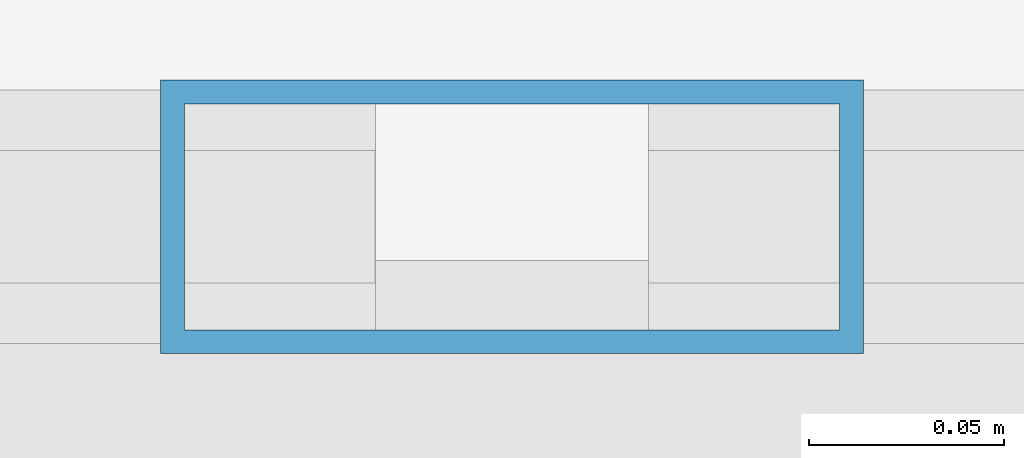
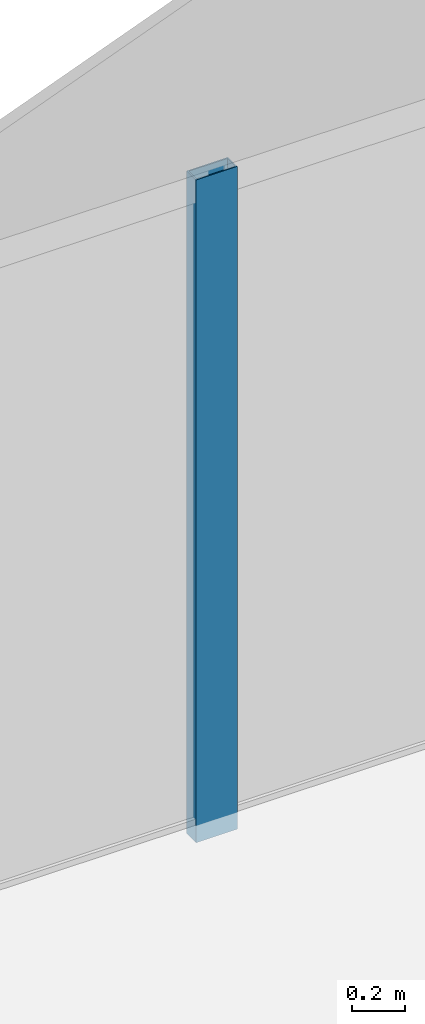
# One storey, part 27 of 32: 1 member, 1 element without a shape of its own.
"""IFC4 building model written with IfcOpenShell, lengths in metres."""

from ifc_helpers import new_model, si_unit, direction, frame, origin, origin_2d, place, context, subcontext, project, spatial, hollow_rectangle, extrude, source, transform, mapped, material, layer, layer_set, material_profile, profile_set, type_object, element, aggregate, save


model = new_model("IFC4")

# Units and contexts
model_context = context("Model", 3, precision=1e-05, world=origin(), true_north=direction((0.0, 1.0)))
body_context = subcontext(model_context, "Body", "Model", "MODEL_VIEW")
ifc_project = project(units=[si_unit("LENGTHUNIT", "METRE"), si_unit("AREAUNIT", "SQUARE_METRE"), si_unit("VOLUMEUNIT", "CUBIC_METRE"), si_unit("PLANEANGLEUNIT", "RADIAN"), si_unit("MASSUNIT", "GRAM", prefix="KILO")], contexts=[model_context])

# Site, building, storey
site_placement = place(None, origin())
site = spatial("IfcSite", under=ifc_project, at=site_placement, CompositionType="ELEMENT")
building_placement = place(site_placement, origin())
building = spatial("IfcBuilding", under=site, at=building_placement, Name="Sumidabori Civic Tower", CompositionType="ELEMENT")
storey_placement = place(building_placement, frame((0.0, 0.0, 298.199951171875)))
storey = spatial("IfcBuildingStorey", under=building, at=storey_placement, Name="RF Roof Crown", CompositionType="ELEMENT", Elevation=298.199951171875)

# Curtain wall, member
ifc_material = material(Name="Anodised Bronze Aluminium AW-6063-T6", Category="aluminium")
ifc_layer = layer(ifc_material, 0.179931640625, Name="Anodised Bronze Aluminium AW-6063-T6")
ifc_layer_set = layer_set([ifc_layer], Name="Anodised Bronze Aluminium AW-6063-T6")
curtain_wall_type = type_object("IfcCurtainWallType", Name="CW-SYS-6", PredefinedType="NOTDEFINED", material=ifc_layer_set)
curtain_wall_placement = place(storey_placement, origin())
curtain_wall = element("IfcCurtainWall", 1, at=curtain_wall_placement, inside=storey, type_object=curtain_wall_type, Name="Glass-Point Crown North Shoulder Curtain Wall", PredefinedType="NOTDEFINED")
ifc_material_profile = material_profile(ifc_material, hollow_rectangle(XDim=0.070068359375, YDim=0.179931640625, WallThickness=0.006103515625, at=origin_2d()), Name="ALU MULLION 180x70")
ifc_profile_set = profile_set([ifc_material_profile], Name="Anodised Bronze Aluminium AW-6063-T6")
member_type = type_object("IfcMemberType", Name="CW-MUL-180", PredefinedType="MULLION", material=ifc_profile_set)
shared_shape = source(origin(), body_context, "Body", "SweptSolid", [
    extrude(hollow_rectangle(XDim=0.070068359375, YDim=0.179931640625, WallThickness=0.006103515625, at=origin_2d()), origin(), (0.0, 0.0, 1.0), 3.050048828125),
])
member_placement = place(storey_placement, frame((8.25, 22.800048828125, 0.0), z_axis=(0.0, 0.0, 1.0), x_axis=(0.0, -1.0, 0.0)))
member = element("IfcMember", 2, at=member_placement, type_object=member_type, Name="CW-6 mullion 2", PredefinedType="MULLION", context=body_context, shape_type="MappedRepresentation", body=[
    mapped(shared_shape, transform((0.0, 0.0, 0.0), x_axis=(1.0, 0.0, 0.0), y_axis=(0.0, 1.0, 0.0), z_axis=(0.0, 0.0, 1.0), scale=1.0)),
])
aggregate(curtain_wall, [member])

save(model, "model.ifc")
